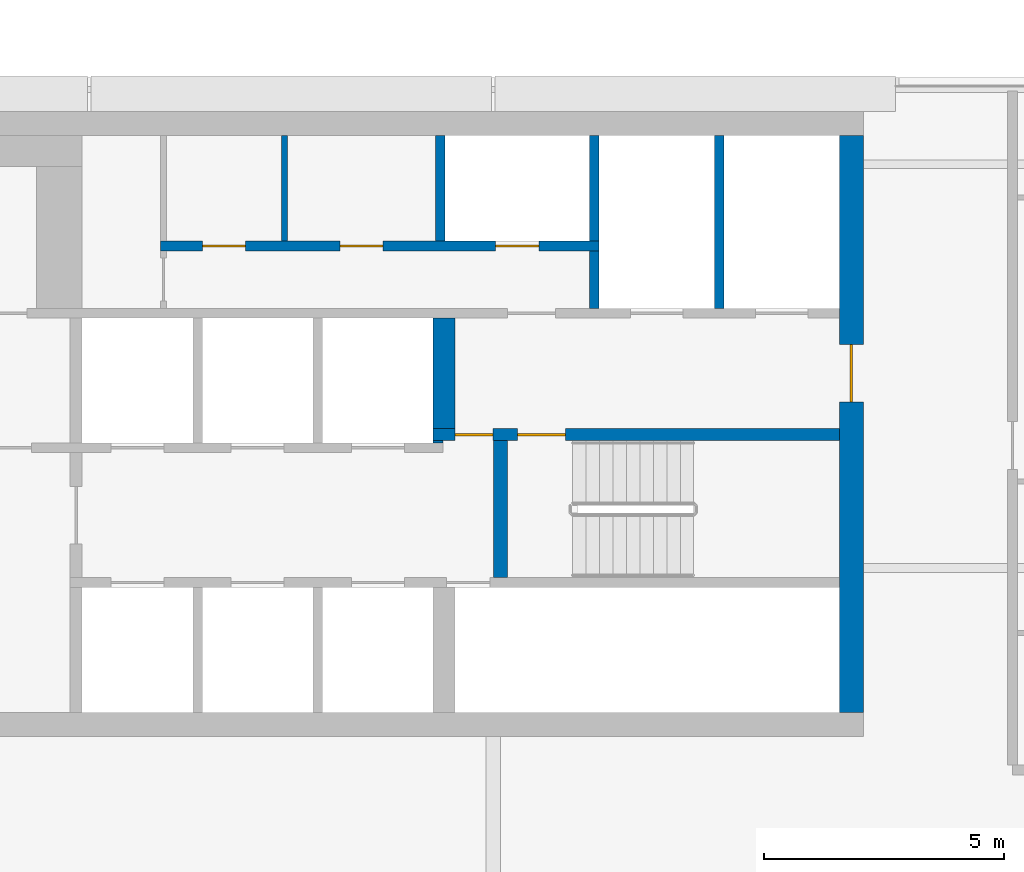
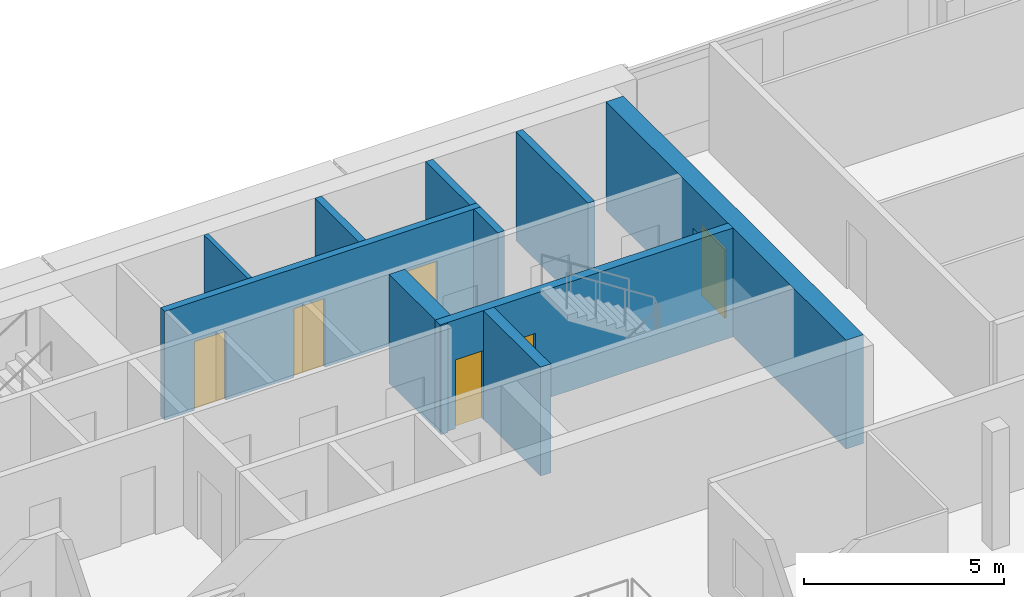
# One storey, part 20 of 27: 11 walls, 6 doors, 6 openings.
"""IFC4 building model written with IfcOpenShell, lengths in metres."""

from ifc_helpers import new_model, si_unit, direction, frame, frame_2d, origin, place, context, subcontext, project, spatial, rectangle, extrude, material, layer, layer_set, type_object, element, fill, save


model = new_model("IFC4")

# Units and contexts
model_context = context("Model", 3, precision=1e-05, world=origin(), true_north=direction((0.0, 1.0)))
body_context = subcontext(model_context, "Body", "Model", "MODEL_VIEW")
ifc_project = project(units=[si_unit("LENGTHUNIT", "METRE"), si_unit("AREAUNIT", "SQUARE_METRE"), si_unit("VOLUMEUNIT", "CUBIC_METRE"), si_unit("PLANEANGLEUNIT", "RADIAN"), si_unit("MASSUNIT", "GRAM", prefix="KILO")], contexts=[model_context])

# Site, building, storey
site_placement = place(None, origin())
site = spatial("IfcSite", under=ifc_project, at=site_placement, CompositionType="ELEMENT")
building_placement = place(site_placement, origin())
building = spatial("IfcBuilding", under=site, at=building_placement, Name="Saffron Gate Tower", CompositionType="ELEMENT")
storey_placement = place(building_placement, frame((0.0, 0.0, 267.14990234375)))
storey = spatial("IfcBuildingStorey", under=building, at=storey_placement, Name="L64", CompositionType="ELEMENT", Elevation=267.14990234375)

# Wall, opening, door
ifc_material_1 = material(Name="Concrete C50", Category="concrete")
ifc_layer_1 = layer(ifc_material_1, 0.5)
ifc_layer_set_1 = layer_set([ifc_layer_1], Name="CW22 RC core wall 500 C50")
wall_type_1 = type_object("IfcWallType", Name="CW22 RC core wall 500 C50", PredefinedType="SOLIDWALL", material=ifc_layer_set_1)
wall_1_placement = place(storey_placement, frame((107.64990234375, 62.39990234375, 0.0), z_axis=(0.0, 0.0, 1.0), x_axis=(0.0, 1.0, 0.0)))
wall_1 = element("IfcWall", 1, at=wall_1_placement, inside=storey, type_object=wall_type_1, Name="Wall CW22-L64-4", PredefinedType="SOLIDWALL", context=body_context, shape_type="SweptSolid", body=[
    extrude(rectangle(XDim=12.0, YDim=0.5, at=frame_2d((6.0, 0.0))), origin(), (0.0, 0.0, 1.0), 3.320068359375),
])
opening_1_placement = place(wall_1_placement, frame((6.449951171875, 0.0, 0.0)))
opening_1 = element("IfcOpeningElement", 2, at=opening_1_placement, cuts=wall_1, Name="Opening CR-08", PredefinedType="OPENING", context=body_context, shape_type="SweptSolid", body=[
    extrude(rectangle(XDim=1.199951171875, YDim=2.10009765625, at=frame_2d((0.60009765625, 1.050048828125))), frame((0.0, 0.260009765625, 0.0), z_axis=(0.0, -1.0, 0.0), x_axis=(1.0, 0.0, 0.0)), (0.0, 0.0, 1.0), 0.52001953125),
])
ifc_material_2 = material(Name="Steel fire door set", Category="steel")
door_type_1 = type_object("IfcDoorType", Name="CD7 Core entrance door 1200x2100 EI 120", OperationType="NOTDEFINED", PredefinedType="DOOR", material=ifc_material_2)
door_1_placement = place(opening_1_placement, origin())
door_1 = element("IfcDoor", 3, at=door_1_placement, inside=storey, type_object=door_type_1, Name="DOOR CR-08", OperationType="SINGLE_SWING_RIGHT", OverallHeight=2.10009765625, OverallWidth=1.199951171875, PredefinedType="DOOR", context=body_context, shape_type="SweptSolid", body=[
    extrude(rectangle(XDim=1.199951171875, YDim=2.10009765625, at=frame_2d((0.60009765625, 1.050048828125))), frame((0.0, 0.02490234375, 0.0), z_axis=(0.0, -1.0, 0.0), x_axis=(1.0, 0.0, 0.0)), (0.0, 0.0, 1.0), 0.050048828125),
])
fill(opening_1, door_1)

# Wall, openings, doors
ifc_layer_2 = layer(ifc_material_1, 0.25)
ifc_layer_set_2 = layer_set([ifc_layer_2], Name="CW23 RC core wall 250 C50")
wall_type_2 = type_object("IfcWallType", Name="CW23 RC core wall 250 C50", PredefinedType="SOLIDWALL", material=ifc_layer_set_2)
wall_2_placement = place(storey_placement, frame((98.949951171875, 68.175048828125, 0.0), z_axis=(0.0, 0.0, 1.0), x_axis=(1.0, 0.0, 0.0)))
wall_2 = element("IfcWall", 4, at=wall_2_placement, inside=storey, type_object=wall_type_2, Name="Wall CW23-L64-28", PredefinedType="SOLIDWALL", context=body_context, shape_type="SweptSolid", body=[
    extrude(rectangle(XDim=8.449951171875, YDim=0.25, at=frame_2d((4.22509765625, 0.0))), origin(), (0.0, 0.0, 1.0), 3.320068359375),
])
opening_2_placement = place(wall_2_placement, frame((0.449951171875, 0.0, 0.0)))
opening_2 = element("IfcOpeningElement", 5, at=opening_2_placement, cuts=wall_2, Name="Opening CR-05", PredefinedType="OPENING", context=body_context, shape_type="SweptSolid", body=[
    extrude(rectangle(XDim=0.800048828125, YDim=2.10009765625, at=frame_2d((0.39990234375, 1.050048828125))), frame((0.0, 0.135009765625, 0.0), z_axis=(0.0, -1.0, 0.0), x_axis=(1.0, 0.0, 0.0)), (0.0, 0.0, 1.0), 0.27001953125),
])
opening_3_placement = place(wall_2_placement, frame((1.75, 0.0, 0.0)))
opening_3 = element("IfcOpeningElement", 6, at=opening_3_placement, cuts=wall_2, Name="Opening CR-16", PredefinedType="OPENING", context=body_context, shape_type="SweptSolid", body=[
    extrude(rectangle(XDim=1.0, YDim=2.10009765625, at=frame_2d((0.5, 1.050048828125))), frame((0.0, 0.135009765625, 0.0), z_axis=(0.0, -1.0, 0.0), x_axis=(1.0, 0.0, 0.0)), (0.0, 0.0, 1.0), 0.27001953125),
])
door_type_2 = type_object("IfcDoorType", Name="CD5 Stair door 1000x2100 EI 120", OperationType="NOTDEFINED", PredefinedType="DOOR", material=ifc_material_2)
door_2_placement = place(opening_3_placement, origin())
door_2 = element("IfcDoor", 7, at=door_2_placement, inside=storey, type_object=door_type_2, Name="DOOR CR-16", OperationType="SINGLE_SWING_RIGHT", OverallHeight=2.10009765625, OverallWidth=1.0, PredefinedType="DOOR", context=body_context, shape_type="SweptSolid", body=[
    extrude(rectangle(XDim=1.0, YDim=2.10009765625, at=frame_2d((0.5, 1.050048828125))), frame((0.0, 0.02490234375, 0.0), z_axis=(0.0, -1.0, 0.0), x_axis=(1.0, 0.0, 0.0)), (0.0, 0.0, 1.0), 0.050048828125),
])
fill(opening_3, door_2)
door_type_3 = type_object("IfcDoorType", Name="CD6 Lobby door 800x2100 EI 120", OperationType="NOTDEFINED", PredefinedType="DOOR", material=ifc_material_2)
door_3_placement = place(opening_2_placement, origin())
door_3 = element("IfcDoor", 8, at=door_3_placement, inside=storey, type_object=door_type_3, Name="DOOR CR-05", OperationType="SINGLE_SWING_LEFT", OverallHeight=2.10009765625, OverallWidth=0.800048828125, PredefinedType="DOOR", context=body_context, shape_type="SweptSolid", body=[
    extrude(rectangle(XDim=0.800048828125, YDim=2.10009765625, at=frame_2d((0.39990234375, 1.050048828125))), frame((0.0, 0.02490234375, 0.0), z_axis=(0.0, -1.0, 0.0), x_axis=(1.0, 0.0, 0.0)), (0.0, 0.0, 1.0), 0.050048828125),
])
fill(opening_2, door_3)

# Walls
ifc_layer_3 = layer(ifc_material_1, 0.449951171875)
ifc_layer_set_3 = layer_set([ifc_layer_3], Name="CW24 RC core wall 450 C50")
wall_type_3 = type_object("IfcWallType", Name="CW24 RC core wall 450 C50", PredefinedType="SOLIDWALL", material=ifc_layer_set_3)
wall_3_placement = place(storey_placement, frame((99.175048828125, 68.300048828125, 0.0), z_axis=(0.0, 0.0, 1.0), x_axis=(0.0, 1.0, 0.0)))
element("IfcWall", 9, at=wall_3_placement, inside=storey, type_object=wall_type_3, Name="Wall CW24-L64-30", PredefinedType="SOLIDWALL", context=body_context, shape_type="SweptSolid", body=[
    extrude(rectangle(XDim=2.300048828125, YDim=0.449951171875, at=frame_2d((1.14990234375, 0.0))), origin(), (0.0, 0.0, 1.0), 3.320068359375),
])
ifc_layer_4 = layer(ifc_material_1, 0.199951171875)
ifc_layer_set_4 = layer_set([ifc_layer_4], Name="CW25 RC core wall 200 C50")
wall_type_4 = type_object("IfcWallType", Name="CW25 RC core wall 200 C50", PredefinedType="SOLIDWALL", material=ifc_layer_set_4)
wall_4_placement = place(storey_placement, frame((102.300048828125, 70.800048828125, 0.0), z_axis=(0.0, 0.0, 1.0), x_axis=(0.0, 1.0, 0.0)))
element("IfcWall", 10, at=wall_4_placement, inside=storey, type_object=wall_type_4, Name="Wall CW25-L64-38", PredefinedType="SOLIDWALL", context=body_context, shape_type="SweptSolid", body=[
    extrude(rectangle(XDim=1.199951171875, YDim=0.199951171875, at=frame_2d((0.60009765625, 0.0))), origin(), (0.0, 0.0, 1.0), 3.320068359375),
])
wall_5_placement = place(storey_placement, frame((104.89990234375, 70.800048828125, 0.0), z_axis=(0.0, 0.0, 1.0), x_axis=(0.0, 1.0, 0.0)))
element("IfcWall", 11, at=wall_5_placement, inside=storey, type_object=wall_type_4, Name="Wall CW25-L64-39", PredefinedType="SOLIDWALL", context=body_context, shape_type="SweptSolid", body=[
    extrude(rectangle(XDim=3.599853515625, YDim=0.199951171875, at=frame_2d((1.7998046875, 0.0))), origin(), (0.0, 0.0, 1.0), 3.320068359375),
])

# Wall, openings, doors
wall_6_placement = place(storey_placement, frame((93.280029296875, 72.10009765625, 0.0), z_axis=(0.0, 0.0, 1.0), x_axis=(1.0, 0.0, 0.0)))
wall_6 = element("IfcWall", 12, at=wall_6_placement, inside=storey, type_object=wall_type_4, Name="Wall CW25-L64-41", PredefinedType="SOLIDWALL", context=body_context, shape_type="SweptSolid", body=[
    extrude(rectangle(XDim=9.119873046875, YDim=0.199951171875, at=frame_2d((4.56005859375, 0.0))), origin(), (0.0, 0.0, 1.0), 3.320068359375),
])
opening_4_placement = place(wall_6_placement, frame((0.8701171875, 0.0, 0.0)))
opening_4 = element("IfcOpeningElement", 13, at=opening_4_placement, cuts=wall_6, Name="Opening CR-50", PredefinedType="OPENING", context=body_context, shape_type="SweptSolid", body=[
    extrude(rectangle(XDim=0.89990234375, YDim=2.10009765625, at=frame_2d((0.449951171875, 1.050048828125))), frame((0.0, 0.10986328125, 0.0), z_axis=(0.0, -1.0, 0.0), x_axis=(1.0, 0.0, 0.0)), (0.0, 0.0, 1.0), 0.219970703125),
])
opening_5_placement = place(wall_6_placement, frame((3.72998046875, 0.0, 0.0)))
opening_5 = element("IfcOpeningElement", 14, at=opening_5_placement, cuts=wall_6, Name="Opening CR-53", PredefinedType="OPENING", context=body_context, shape_type="SweptSolid", body=[
    extrude(rectangle(XDim=0.89990234375, YDim=2.10009765625, at=frame_2d((0.449951171875, 1.050048828125))), frame((0.0, 0.10986328125, 0.0), z_axis=(0.0, -1.0, 0.0), x_axis=(1.0, 0.0, 0.0)), (0.0, 0.0, 1.0), 0.219970703125),
])
opening_6_placement = place(wall_6_placement, frame((6.969970703125, 0.0, 0.0)))
opening_6 = element("IfcOpeningElement", 15, at=opening_6_placement, cuts=wall_6, Name="Opening CR-70", PredefinedType="OPENING", context=body_context, shape_type="SweptSolid", body=[
    extrude(rectangle(XDim=0.89990234375, YDim=2.10009765625, at=frame_2d((0.449951171875, 1.050048828125))), frame((0.0, 0.10986328125, 0.0), z_axis=(0.0, -1.0, 0.0), x_axis=(1.0, 0.0, 0.0)), (0.0, 0.0, 1.0), 0.219970703125),
])
door_type_4 = type_object("IfcDoorType", Name="CD2 Riser door 900x2100 EI 60", OperationType="NOTDEFINED", PredefinedType="DOOR", material=ifc_material_2)
door_4_placement = place(opening_6_placement, origin())
door_4 = element("IfcDoor", 16, at=door_4_placement, inside=storey, type_object=door_type_4, Name="DOOR CR-70", OperationType="SINGLE_SWING_LEFT", OverallHeight=2.10009765625, OverallWidth=0.89990234375, PredefinedType="DOOR", context=body_context, shape_type="SweptSolid", body=[
    extrude(rectangle(XDim=0.89990234375, YDim=2.10009765625, at=frame_2d((0.449951171875, 1.050048828125))), frame((0.0, 0.02490234375, 0.0), z_axis=(0.0, -1.0, 0.0), x_axis=(1.0, 0.0, 0.0)), (0.0, 0.0, 1.0), 0.050048828125),
])
fill(opening_6, door_4)
door_type_5 = type_object("IfcDoorType", Name="CD9 Room door 900x2100 EI 60", OperationType="NOTDEFINED", PredefinedType="DOOR", material=ifc_material_2)
door_5_placement = place(opening_4_placement, origin())
door_5 = element("IfcDoor", 17, at=door_5_placement, inside=storey, type_object=door_type_5, Name="DOOR CR-50", OperationType="SINGLE_SWING_LEFT", OverallHeight=2.10009765625, OverallWidth=0.89990234375, PredefinedType="DOOR", context=body_context, shape_type="SweptSolid", body=[
    extrude(rectangle(XDim=0.89990234375, YDim=2.10009765625, at=frame_2d((0.449951171875, 1.050048828125))), frame((0.0, 0.02490234375, 0.0), z_axis=(0.0, -1.0, 0.0), x_axis=(1.0, 0.0, 0.0)), (0.0, 0.0, 1.0), 0.050048828125),
])
fill(opening_4, door_5)
door_6_placement = place(opening_5_placement, origin())
door_6 = element("IfcDoor", 18, at=door_6_placement, inside=storey, type_object=door_type_5, Name="DOOR CR-53", OperationType="SINGLE_SWING_LEFT", OverallHeight=2.10009765625, OverallWidth=0.89990234375, PredefinedType="DOOR", context=body_context, shape_type="SweptSolid", body=[
    extrude(rectangle(XDim=0.89990234375, YDim=2.10009765625, at=frame_2d((0.449951171875, 1.050048828125))), frame((0.0, 0.02490234375, 0.0), z_axis=(0.0, -1.0, 0.0), x_axis=(1.0, 0.0, 0.0)), (0.0, 0.0, 1.0), 0.050048828125),
])
fill(opening_5, door_6)

# Walls
for number, where, z_axis, x_axis, name in (
    (19, (99.10009765625, 72.199951171875, 0.0), (0.0, 0.0, 1.0), (0.0, 1.0, 0.0), "Wall CW25-L64-48"),
    (20, (102.300048828125, 72.199951171875, 0.0), (0.0, 0.0, 1.0), (0.0, 1.0, 0.0), "Wall CW25-L64-49"),
):
    element("IfcWall", number, at=place(storey_placement, frame(where, z_axis=z_axis, x_axis=x_axis)), inside=storey, type_object=wall_type_4, Name=name, PredefinedType="SOLIDWALL", context=body_context, shape_type="SweptSolid", body=[
        extrude(rectangle(XDim=2.199951171875, YDim=0.199951171875, at=frame_2d((1.10009765625, 0.0))), origin(), (0.0, 0.0, 1.0), 3.320068359375),
    ])
ifc_layer_5 = layer(ifc_material_1, 0.300048828125)
ifc_layer_set_5 = layer_set([ifc_layer_5], Name="CW26 RC core wall 300 C50")
wall_type_5 = type_object("IfcWallType", Name="CW26 RC core wall 300 C50", PredefinedType="SOLIDWALL", material=ifc_layer_set_5)
wall_7_placement = place(storey_placement, frame((100.35009765625, 65.199951171875, 0.0), z_axis=(0.0, 0.0, 1.0), x_axis=(0.0, 1.0, 0.0)))
element("IfcWall", 21, at=wall_7_placement, inside=storey, type_object=wall_type_5, Name="Wall CW26-L64-17", PredefinedType="SOLIDWALL", context=body_context, shape_type="SweptSolid", body=[
    extrude(rectangle(XDim=2.85009765625, YDim=0.300048828125, at=frame_2d((1.425048828125, 0.0))), origin(), (0.0, 0.0, 1.0), 3.320068359375),
])
ifc_layer_6 = layer(ifc_material_1, 0.050048828125)
ifc_layer_set_6 = layer_set([ifc_layer_6], Name="CW27 RC core wall 50 C50")
wall_type_6 = type_object("IfcWallType", Name="CW27 RC core wall 50 C50", PredefinedType="SOLIDWALL", material=ifc_layer_set_6)
wall_8_placement = place(storey_placement, frame((98.949951171875, 68.02490234375, 0.0), z_axis=(0.0, 0.0, 1.0), x_axis=(1.0, 0.0, 0.0)))
element("IfcWall", 22, at=wall_8_placement, inside=storey, type_object=wall_type_6, Name="Wall CW27-L64-26", PredefinedType="SOLIDWALL", context=body_context, shape_type="SweptSolid", body=[
    extrude(rectangle(XDim=0.199951171875, YDim=0.050048828125, at=frame_2d((0.10009765625, 0.0))), origin(), (0.0, 0.0, 1.0), 3.320068359375),
])
ifc_material_3 = material(Name="Gypsum board partition on steel studs", Category="steel")
ifc_layer_7 = layer(ifc_material_3, 0.1201171875)
ifc_layer_set_7 = layer_set([ifc_layer_7], Name="CW8 Core partition 120")
wall_type_7 = type_object("IfcWallType", Name="CW8 Core partition 120", PredefinedType="PARTITIONING", material=ifc_layer_set_7)
wall_9_placement = place(storey_placement, frame((95.860107421875, 72.199951171875, 0.0), z_axis=(0.0, 0.0, 1.0), x_axis=(0.0, 1.0, 0.0)))
element("IfcWall", 23, at=wall_9_placement, inside=storey, type_object=wall_type_7, Name="Wall CW8-L64-47", PredefinedType="PARTITIONING", context=body_context, shape_type="SweptSolid", body=[
    extrude(rectangle(XDim=2.199951171875, YDim=0.1201171875, at=frame_2d((1.10009765625, 0.0))), origin(), (0.0, 0.0, 1.0), 3.320068359375),
])

save(model, "model.ifc")
